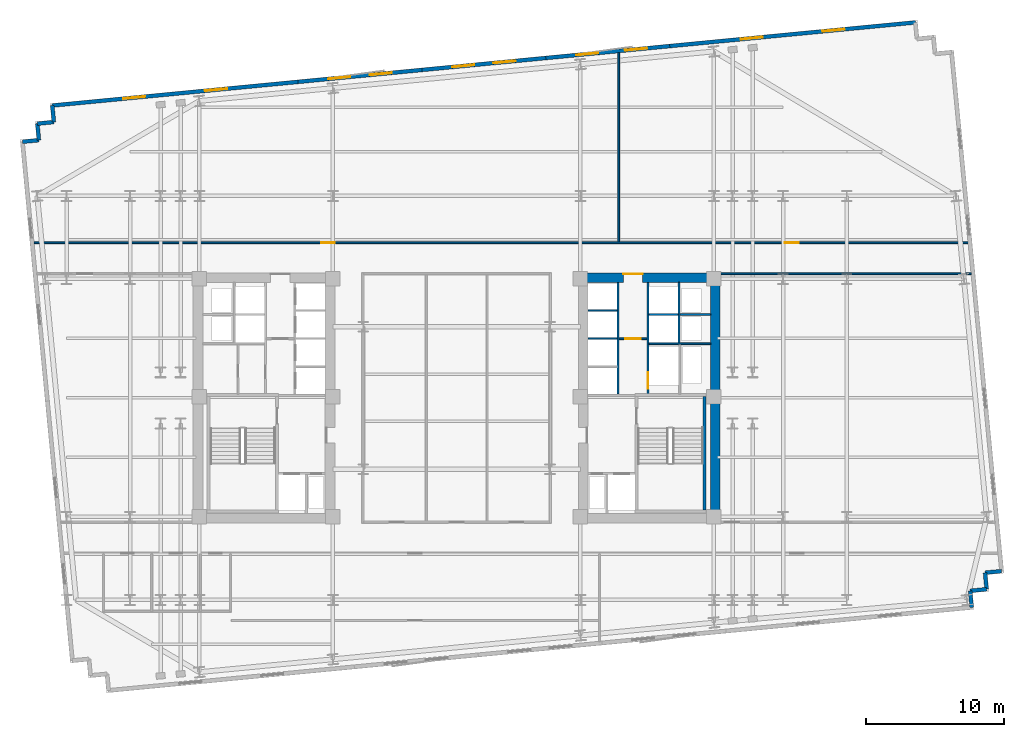
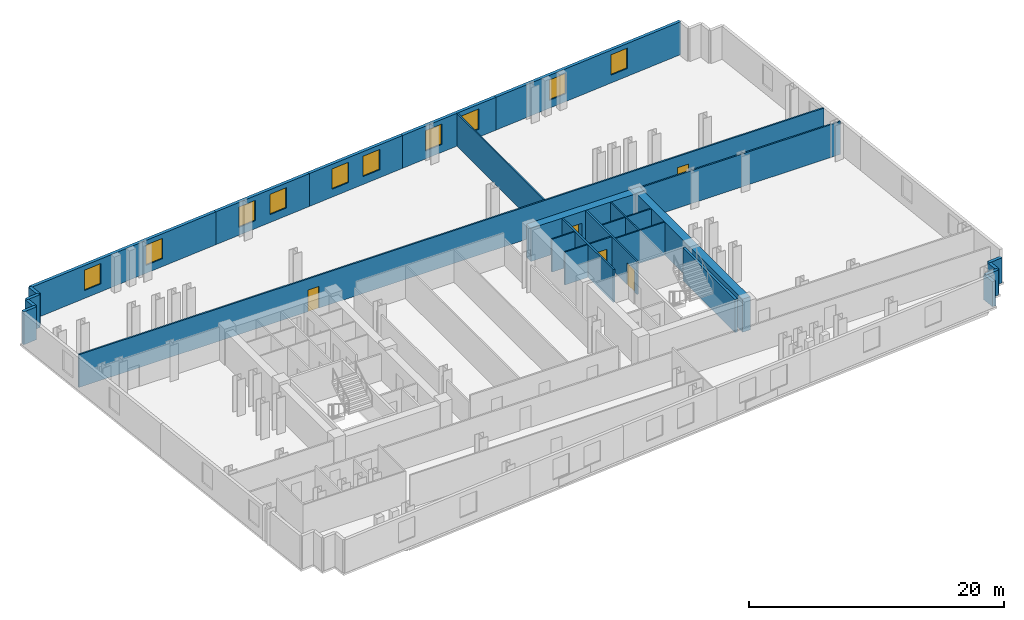
# One storey, part 7 of 10: 28 walls, 10 windows, 5 doors, 15 openings.
"""IFC4 building model written with IfcOpenShell, lengths in metres."""

import ifcopenshell
import ifcopenshell.guid

model = None  # the IFC model being written
_history = None  # IfcOwnerHistory: only IFC2X3 demands one
_inside = {}  # id of a spatial element -> (the spatial element, [elements in it])
_under = {}  # id of a project, library or spatial element -> (it, [spatial elements below it])
_declared = {}  # id of a project -> (the project, [libraries it declares])
_typed = {}  # id of a type object -> (the type object, [elements of that type])
_made_of = {}  # id of a material, layer set ... -> (it, [elements and type objects made of it])


def new_model(schema):
    """Start an empty IFC model of exactly this schema.

    Asked for "IFC4X3", IfcOpenShell would pick the latest addendum, in which some entities
    have other attributes; the version numbers below select the first issue.
    IFC2X3 requires an IfcOwnerHistory on every rooted entity: one is made here for all.
    """
    global model, _history
    if schema == "IFC4X3":
        model = ifcopenshell.file(schema_version=(4, 3, 0, 0))
    else:
        model = ifcopenshell.file(schema=schema)
    _inside.clear()
    _under.clear()
    _declared.clear()
    _typed.clear()
    _made_of.clear()
    _history = None
    if model.schema == "IFC2X3":
        org = make("IfcOrganization", Name="unknown")
        user = make(
            "IfcPersonAndOrganization",
            ThePerson=make("IfcPerson", FamilyName="unknown"),
            TheOrganization=org,
        )
        app = make(
            "IfcApplication",
            ApplicationDeveloper=org,
            Version="unknown",
            ApplicationFullName="unknown",
            ApplicationIdentifier="unknown",
        )
        _history = make(
            "IfcOwnerHistory",
            OwningUser=user,
            OwningApplication=app,
            ChangeAction="ADDED",
            CreationDate=0,
        )
    return model


def make(cls, **values):
    """One entity of the class cls with the attributes given. An attribute that is None is left unset."""
    return model.create_entity(
        cls, **{name: value for name, value in values.items() if value is not None}
    )


def rooted(cls, **values):
    """An entity with a GlobalId (a new one), such as an element, a storey or a relation."""
    return make(cls, GlobalId=ifcopenshell.guid.new(), OwnerHistory=_history, **values)


def si_unit(unit_type, name, prefix=None):
    """IfcSIUnit, for example si_unit("LENGTHUNIT", "METRE", prefix="MILLI")."""
    return make("IfcSIUnit", UnitType=unit_type, Prefix=prefix, Name=name)


def assignment(units):
    """IfcUnitAssignment: the units of a project."""
    return None if units is None else make("IfcUnitAssignment", Units=units)


def point(xyz):
    """IfcCartesianPoint."""
    return None if xyz is None else make("IfcCartesianPoint", Coordinates=xyz)


def direction(xyz):
    """IfcDirection."""
    return None if xyz is None else make("IfcDirection", DirectionRatios=xyz)


def frame(location, z_axis=None, x_axis=None):
    """IfcAxis2Placement3D, a coordinate frame: its origin and axes. An axis left out is left unset."""
    return make(
        "IfcAxis2Placement3D",
        Location=point(location),
        Axis=direction(z_axis),
        RefDirection=direction(x_axis),
    )


def frame_2d(location, x_axis=None):
    """IfcAxis2Placement2D, a coordinate frame in the plane: its origin and x axis."""
    return make(
        "IfcAxis2Placement2D", Location=point(location), RefDirection=direction(x_axis)
    )


def origin():
    """The frame at (0, 0, 0) with its axes left unset."""
    return frame((0.0, 0.0, 0.0))


def place(relative_to, where):
    """IfcLocalPlacement: puts the frame where relative to a parent placement (None: the world)."""
    return make(
        "IfcLocalPlacement", PlacementRelTo=relative_to, RelativePlacement=where
    )


def context(
    kind, dimensions, precision=None, world=None, true_north=None, identifier=None
):
    """IfcGeometricRepresentationContext, for example the 3D "Model" context."""
    return make(
        "IfcGeometricRepresentationContext",
        ContextIdentifier=identifier,
        ContextType=kind,
        CoordinateSpaceDimension=dimensions,
        Precision=precision,
        WorldCoordinateSystem=world,
        TrueNorth=true_north,
    )


def subcontext(parent, identifier, kind, view, scale=None):
    """IfcGeometricRepresentationSubContext, for example "Body" below "Model"."""
    return make(
        "IfcGeometricRepresentationSubContext",
        ContextIdentifier=identifier,
        ContextType=kind,
        ParentContext=parent,
        TargetScale=scale,
        TargetView=view,
    )


def project(units=None, contexts=None):
    """IfcProject with its units and contexts."""
    return rooted(
        "IfcProject",
        Name="project",
        RepresentationContexts=contexts,
        UnitsInContext=assignment(units),
    )


def spatial(cls, under=None, at=None, **own):
    """A site, building, storey or space (cls), placed at a placement, below another one or the project."""
    s = rooted(cls, ObjectPlacement=at, **own)
    if under is not None:
        _under.setdefault(under.id(), (under, []))[1].append(s)
    return s


def profile(cls, at=None, kind="AREA", **sizes):
    """A parametric profile (cls). Its sizes go by their IFC names, for example OverallWidth=200.0."""
    return make(cls, ProfileType=kind, Position=at, **sizes)


def rectangle(**sizes):
    """IfcRectangleProfileDef."""
    return profile("IfcRectangleProfileDef", **sizes)


def extrude(swept, where, along, depth):
    """IfcExtrudedAreaSolid: the profile swept, set in the frame where, extruded along a direction by depth."""
    return make(
        "IfcExtrudedAreaSolid",
        SweptArea=swept,
        Position=where,
        ExtrudedDirection=direction(along),
        Depth=depth,
    )


def shape(context_of_items, identifier, shape_type, items):
    """IfcShapeRepresentation: the items that make up one representation, for example the "Body"."""
    return make(
        "IfcShapeRepresentation",
        ContextOfItems=context_of_items,
        RepresentationIdentifier=identifier,
        RepresentationType=shape_type,
        Items=items,
    )


def material(Name=None, Category=None):
    """IfcMaterial."""
    return make("IfcMaterial", Name=Name, Category=Category)


def layer(
    of_material, thickness, ventilated=None, Name=None, Category=None, Priority=None
):
    """IfcMaterialLayer: one layer of a wall or slab, of a material (None: an air gap)."""
    return make(
        "IfcMaterialLayer",
        Material=of_material,
        LayerThickness=thickness,
        IsVentilated=ventilated,
        Name=Name,
        Category=Category,
        Priority=Priority,
    )


def layer_set(layers, Name=None):
    """IfcMaterialLayerSet."""
    return make("IfcMaterialLayerSet", MaterialLayers=layers, LayerSetName=Name)


def made_of(thing, what):
    """Note that an element or type object is made of a material, layer set ...; save() writes the relation."""
    if what is not None:
        _made_of.setdefault(what.id(), (what, []))[1].append(thing)
    return thing


def type_object(cls, material=None, **own):
    """A type object (cls), such as IfcWallType, which elements share."""
    return made_of(rooted(cls, **own), material)


def element(
    cls,
    number,
    at=None,
    inside=None,
    cuts=None,
    type_object=None,
    material=None,
    context=None,
    identifier="Body",
    shape_type=None,
    held_by="IfcProductDefinitionShape",
    body=None,
    shapes=None,
    **own,
):
    """One element of the class cls, such as IfcWall. Its Tag is "e" and its number.

    at: its placement. inside: the storey or other place that contains it. cuts: it is an
    opening in that element (IfcRelVoidsElement). A single representation is given by context,
    identifier, shape_type and body (its items); several are given by shapes. held_by: the class
    of the entity that holds the representations. save() writes the other relations.
    """
    e = rooted(cls, Tag="e%d" % number, ObjectPlacement=at, **own)
    if body is not None:
        shapes = [shape(context, identifier, shape_type, body)]
    if shapes is not None:
        e.Representation = make(held_by, Representations=shapes)
    if inside is not None:
        _inside.setdefault(inside.id(), (inside, []))[1].append(e)
    if cuts is not None:
        rooted(
            "IfcRelVoidsElement", RelatingBuildingElement=cuts, RelatedOpeningElement=e
        )
    if type_object is not None:
        _typed.setdefault(type_object.id(), (type_object, []))[1].append(e)
    return made_of(e, material)


def fill(opening, filler):
    """IfcRelFillsElement: the door or window that sits in an opening."""
    return rooted(
        "IfcRelFillsElement",
        RelatingOpeningElement=opening,
        RelatedBuildingElement=filler,
    )


def aggregate(whole, parts):
    """IfcRelAggregates: a whole, such as a stair, and the parts it consists of."""
    return rooted("IfcRelAggregates", RelatingObject=whole, RelatedObjects=parts)


def save(model, path):
    """Write the relations noted so far, then the file.

    IfcRelAggregates (storeys below a building ...), IfcRelContainedInSpatialStructure (elements
    in a storey), IfcRelDefinesByType, IfcRelAssociatesMaterial and IfcRelDeclares: one each for
    every whole, place, type object, material and project.
    """
    for whole, parts in _under.values():
        aggregate(whole, parts)
    for where, things in _inside.values():
        rooted(
            "IfcRelContainedInSpatialStructure",
            RelatedElements=things,
            RelatingStructure=where,
        )
    for kind, things in _typed.values():
        rooted("IfcRelDefinesByType", RelatedObjects=things, RelatingType=kind)
    for what, things in _made_of.values():
        rooted("IfcRelAssociatesMaterial", RelatedObjects=things, RelatingMaterial=what)
    for by, libraries in _declared.values():
        rooted("IfcRelDeclares", RelatingContext=by, RelatedDefinitions=libraries)
    model.write(path)


model = new_model("IFC4")

# Units and contexts
model_context = context("Model", 3, precision=1e-05, world=origin(), true_north=direction((0.0, 1.0)))
body_context = subcontext(model_context, "Body", "Model", "MODEL_VIEW")
ifc_project = project(units=[si_unit("LENGTHUNIT", "METRE"), si_unit("AREAUNIT", "SQUARE_METRE"), si_unit("VOLUMEUNIT", "CUBIC_METRE"), si_unit("PLANEANGLEUNIT", "RADIAN"), si_unit("MASSUNIT", "GRAM", prefix="KILO")], contexts=[model_context])

# Site, building, storey
site_placement = place(None, origin())
site = spatial("IfcSite", under=ifc_project, at=site_placement, CompositionType="ELEMENT")
building_placement = place(site_placement, origin())
building = spatial("IfcBuilding", under=site, at=building_placement, Name="Velakula Bourse", CompositionType="ELEMENT")
storey_placement = place(building_placement, frame((0.0, 0.0, 108.699951171875)))
storey = spatial("IfcBuildingStorey", under=building, at=storey_placement, Name="L29", CompositionType="ELEMENT", Elevation=108.699951171875)

# Wall
ifc_material_1 = material(Name="Concrete M50 (fck 50 MPa)", Category="concrete")
ifc_layer_1 = layer(ifc_material_1, 0.2099609375, Name="Concrete M50 (fck 50 MPa)", Category="concrete")
ifc_layer_set_1 = layer_set([ifc_layer_1], Name="Concrete M50 (fck 50 MPa)")
wall_type_1 = type_object("IfcWallType", Name="WL-CORE-210", PredefinedType="SHEAR", material=ifc_layer_set_1)
wall_1_placement = place(storey_placement, frame((17.925048828125, -8.10009765625, 0.0), z_axis=(0.0, 0.0, 1.0), x_axis=(0.0, 1.0, 0.0)))
element("IfcWall", 1, at=wall_1_placement, inside=storey, type_object=wall_type_1, Name="L29 Core E Stairwell Shear Wall OUT", PredefinedType="SHEAR", context=body_context, shape_type="SweptSolid", body=[
    extrude(rectangle(XDim=8.2001953125, YDim=0.2099609375, at=frame_2d((4.10009765625, 0.0))), origin(), (0.0, 0.0, 1.0), 3.170166015625),
])

# Wall, opening, door
ifc_material_2 = material(Name="Concrete M70 (fck 70 MPa)", Category="concrete")
ifc_layer_2 = layer(ifc_material_2, 0.699951171875, Name="Concrete M70 (fck 70 MPa)", Category="concrete")
ifc_layer_set_2 = layer_set([ifc_layer_2], Name="Concrete M70 (fck 70 MPa)")
wall_type_2 = type_object("IfcWallType", Name="WL-CORE-700", PredefinedType="SHEAR", material=ifc_layer_set_2)
wall_2_placement = place(storey_placement, frame((8.800048828125, 8.699951171875, 0.0), z_axis=(0.0, 0.0, 1.0), x_axis=(1.0, 0.0, 0.0)))
wall_2 = element("IfcWall", 2, at=wall_2_placement, inside=storey, type_object=wall_type_2, Name="L29 Core E Shear Wall N", PredefinedType="SHEAR", context=body_context, shape_type="SweptSolid", body=[
    extrude(rectangle(XDim=10.25, YDim=0.699951171875, at=frame_2d((5.125, 0.0))), origin(), (0.0, 0.0, 1.0), 3.170166015625),
])
opening_1_placement = place(wall_2_placement, frame((3.25, 0.0, 0.0)))
opening_1 = element("IfcOpeningElement", 3, at=opening_1_placement, cuts=wall_2, Name="Opening D-LLE", PredefinedType="OPENING", context=body_context, shape_type="SweptSolid", body=[
    extrude(rectangle(XDim=1.39990234375, YDim=2.050048828125, at=frame_2d((0.699951171875, 1.02490234375))), frame((0.0, 0.35986328125, 0.0), z_axis=(0.0, -1.0, 0.0), x_axis=(1.0, 0.0, 0.0)), (0.0, 0.0, 1.0), 0.719970703125),
])
ifc_material_3 = material(Name="Fire-rated hardwood flush architectural door", Category="wood")
door_type_1 = type_object("IfcDoorType", Name="DR-DBL-FD60-1400", OperationType="DOUBLE_DOOR_SINGLE_SWING", PredefinedType="DOOR", material=ifc_material_3)
door_1_placement = place(opening_1_placement, origin())
door_1 = element("IfcDoor", 4, at=door_1_placement, inside=storey, type_object=door_type_1, Name="L29 Core E Lift Lobby Corridor Double Door", OperationType="DOUBLE_DOOR_SINGLE_SWING", OverallHeight=2.050048828125, OverallWidth=1.39990234375, PredefinedType="DOOR", context=body_context, shape_type="SweptSolid", body=[
    extrude(rectangle(XDim=1.39990234375, YDim=2.050048828125, at=frame_2d((0.699951171875, 1.02490234375))), frame((0.0, 0.294921875, 0.0), z_axis=(0.0, -1.0, 0.0), x_axis=(1.0, 0.0, 0.0)), (0.0, 0.0, 1.0), 0.050048828125),
])
fill(opening_1, door_1)

# Wall
wall_3_placement = place(storey_placement, frame((18.699951171875, -8.35009765625, 0.0), z_axis=(0.0, 0.0, 1.0), x_axis=(0.0, 1.0, 0.0)))
element("IfcWall", 5, at=wall_3_placement, inside=storey, type_object=wall_type_2, Name="L29 Core E Shear Wall E", PredefinedType="SHEAR", context=body_context, shape_type="SweptSolid", body=[
    extrude(rectangle(XDim=16.7001953125, YDim=0.699951171875, at=frame_2d((8.35009765625, 0.0))), origin(), (0.0, 0.0, 1.0), 3.170166015625),
])

# Wall, openings, windows
ifc_material_4 = material(Name="Red kilned clay facing brick masonry", Category="masonry")
ifc_layer_3 = layer(ifc_material_4, 0.280029296875, Name="Red kilned clay facing brick masonry", Category="masonry")
ifc_layer_set_3 = layer_set([ifc_layer_3], Name="Red kilned clay facing brick masonry")
wall_type_3 = type_object("IfcWallType", Name="WL-EXT-BRK-280", PredefinedType="STANDARD", material=ifc_layer_set_3)
wall_4_placement = place(storey_placement, frame((-29.2314453125, 21.138427734375, 0.0), z_axis=(0.0, 0.0, 1.0), x_axis=(0.995395780835, 0.095850088663, 0.0)))
wall_4 = element("IfcWall", 6, at=wall_4_placement, inside=storey, type_object=wall_type_3, Name="L29 N Brick Spandrel Wall B1", PredefinedType="STANDARD", context=body_context, shape_type="SweptSolid", body=[
    extrude(rectangle(XDim=17.83984375, YDim=0.280029296875, at=frame_2d((8.919921875, 0.0))), origin(), (0.0, 0.0, 1.0), 3.150146484375),
])
opening_2_placement = place(wall_4_placement, frame((5.146728515625, 0.0, 0.760009765625)))
opening_2 = element("IfcOpeningElement", 7, at=opening_2_placement, cuts=wall_4, Name="Opening W-02", PredefinedType="OPENING", context=body_context, shape_type="SweptSolid", body=[
    extrude(rectangle(XDim=1.60009765625, YDim=1.949951171875, at=frame_2d((0.800048828125, 0.97509765625))), frame((0.0, 0.14990234375, 0.0), z_axis=(0.0, -1.0, 0.0), x_axis=(1.0, 0.0, 0.0)), (0.0, 0.0, 1.0), 0.300048828125),
])
opening_3_placement = place(wall_4_placement, frame((11.09326171875, 0.0, 0.760009765625)))
opening_3 = element("IfcOpeningElement", 8, at=opening_3_placement, cuts=wall_4, Name="Opening W-02", PredefinedType="OPENING", context=body_context, shape_type="SweptSolid", body=[
    extrude(rectangle(XDim=1.60009765625, YDim=1.949951171875, at=frame_2d((0.800048828125, 0.97509765625))), frame((0.0, 0.14990234375, 0.0), z_axis=(0.0, -1.0, 0.0), x_axis=(1.0, 0.0, 0.0)), (0.0, 0.0, 1.0), 0.300048828125),
])
ifc_material_5 = material(Name="Double-glazed solar-control Low-E glass", Category="glass")
window_type = type_object("IfcWindowType", Name="WIN-TWR-1600x2100", PartitioningType="SINGLE_PANEL", PredefinedType="WINDOW", material=ifc_material_5)
window_1_placement = place(opening_2_placement, origin())
window_1 = element("IfcWindow", 9, at=window_1_placement, inside=storey, type_object=window_type, Name="L29 Deep-Set Recessed Window 1", OverallHeight=1.949951171875, OverallWidth=1.60009765625, PartitioningType="SINGLE_PANEL", PredefinedType="WINDOW", context=body_context, shape_type="SweptSolid", body=[
    extrude(rectangle(XDim=1.60009765625, YDim=1.949951171875, at=frame_2d((0.800048828125, 0.97509765625))), frame((0.0, 0.030029296875, 0.0), z_axis=(0.0, -1.0, 0.0), x_axis=(1.0, 0.0, 0.0)), (0.0, 0.0, 1.0), 0.06005859375),
])
fill(opening_2, window_1)
window_2_placement = place(opening_3_placement, origin())
window_2 = element("IfcWindow", 10, at=window_2_placement, inside=storey, type_object=window_type, Name="L29 Deep-Set Recessed Window 2", OverallHeight=1.949951171875, OverallWidth=1.60009765625, PartitioningType="SINGLE_PANEL", PredefinedType="WINDOW", context=body_context, shape_type="SweptSolid", body=[
    extrude(rectangle(XDim=1.60009765625, YDim=1.949951171875, at=frame_2d((0.800048828125, 0.97509765625))), frame((0.0, 0.030029296875, 0.0), z_axis=(0.0, -1.0, 0.0), x_axis=(1.0, 0.0, 0.0)), (0.0, 0.0, 1.0), 0.06005859375),
])
fill(opening_3, window_2)

wall_5_placement = place(storey_placement, frame((-11.4736328125, 22.848388671875, 0.0), z_axis=(0.0, 0.0, 1.0), x_axis=(0.995396794462, 0.09583956164, 0.0)))
wall_5 = element("IfcWall", 11, at=wall_5_placement, inside=storey, type_object=wall_type_3, Name="L29 N Brick Spandrel Wall B2", PredefinedType="STANDARD", context=body_context, shape_type="SweptSolid", body=[
    extrude(rectangle(XDim=9.0, YDim=0.280029296875, at=frame_2d((4.5, 0.0))), origin(), (0.0, 0.0, 1.0), 3.150146484375),
])
opening_4_placement = place(wall_5_placement, frame((2.199951171875, 0.0, 0.760009765625)))
opening_4 = element("IfcOpeningElement", 12, at=opening_4_placement, cuts=wall_5, Name="Opening W-02", PredefinedType="OPENING", context=body_context, shape_type="SweptSolid", body=[
    extrude(rectangle(XDim=1.60009765625, YDim=1.949951171875, at=frame_2d((0.800048828125, 0.97509765625))), frame((0.0, 0.14990234375, 0.0), z_axis=(0.0, -1.0, 0.0), x_axis=(1.0, 0.0, 0.0)), (0.0, 0.0, 1.0), 0.300048828125),
])
opening_5_placement = place(wall_5_placement, frame((5.199951171875, 0.0, 0.760009765625)))
opening_5 = element("IfcOpeningElement", 13, at=opening_5_placement, cuts=wall_5, Name="Opening W-02", PredefinedType="OPENING", context=body_context, shape_type="SweptSolid", body=[
    extrude(rectangle(XDim=1.60009765625, YDim=1.949951171875, at=frame_2d((0.800048828125, 0.97509765625))), frame((0.0, 0.14990234375, 0.0), z_axis=(0.0, -1.0, 0.0), x_axis=(1.0, 0.0, 0.0)), (0.0, 0.0, 1.0), 0.300048828125),
])
window_3_placement = place(opening_4_placement, origin())
window_3 = element("IfcWindow", 14, at=window_3_placement, inside=storey, type_object=window_type, Name="L29 Deep-Set Recessed Window 1", OverallHeight=1.949951171875, OverallWidth=1.60009765625, PartitioningType="SINGLE_PANEL", PredefinedType="WINDOW", context=body_context, shape_type="SweptSolid", body=[
    extrude(rectangle(XDim=1.60009765625, YDim=1.949951171875, at=frame_2d((0.800048828125, 0.97509765625))), frame((0.0, 0.030029296875, 0.0), z_axis=(0.0, -1.0, 0.0), x_axis=(1.0, 0.0, 0.0)), (0.0, 0.0, 1.0), 0.06005859375),
])
fill(opening_4, window_3)
window_4_placement = place(opening_5_placement, origin())
window_4 = element("IfcWindow", 15, at=window_4_placement, inside=storey, type_object=window_type, Name="L29 Deep-Set Recessed Window 2", OverallHeight=1.949951171875, OverallWidth=1.60009765625, PartitioningType="SINGLE_PANEL", PredefinedType="WINDOW", context=body_context, shape_type="SweptSolid", body=[
    extrude(rectangle(XDim=1.60009765625, YDim=1.949951171875, at=frame_2d((0.800048828125, 0.97509765625))), frame((0.0, 0.030029296875, 0.0), z_axis=(0.0, -1.0, 0.0), x_axis=(1.0, 0.0, 0.0)), (0.0, 0.0, 1.0), 0.06005859375),
])
fill(opening_5, window_4)

wall_6_placement = place(storey_placement, frame((-2.51513671875, 23.7109375, 0.0), z_axis=(0.0, 0.0, 1.0), x_axis=(0.995397043619, 0.095836973841, 0.0)))
wall_6 = element("IfcWall", 16, at=wall_6_placement, inside=storey, type_object=wall_type_3, Name="L29 N Brick Spandrel Wall B3", PredefinedType="STANDARD", context=body_context, shape_type="SweptSolid", body=[
    extrude(rectangle(XDim=9.000244140625, YDim=0.280029296875, at=frame_2d((4.5, 0.0))), origin(), (0.0, 0.0, 1.0), 3.150146484375),
])
opening_6_placement = place(wall_6_placement, frame((2.199951171875, 0.0, 0.760009765625)))
opening_6 = element("IfcOpeningElement", 17, at=opening_6_placement, cuts=wall_6, Name="Opening W-02", PredefinedType="OPENING", context=body_context, shape_type="SweptSolid", body=[
    extrude(rectangle(XDim=1.60009765625, YDim=1.949951171875, at=frame_2d((0.800048828125, 0.97509765625))), frame((0.0, 0.14990234375, 0.0), z_axis=(0.0, -1.0, 0.0), x_axis=(1.0, 0.0, 0.0)), (0.0, 0.0, 1.0), 0.300048828125),
])
opening_7_placement = place(wall_6_placement, frame((5.199951171875, 0.0, 0.760009765625)))
opening_7 = element("IfcOpeningElement", 18, at=opening_7_placement, cuts=wall_6, Name="Opening W-02", PredefinedType="OPENING", context=body_context, shape_type="SweptSolid", body=[
    extrude(rectangle(XDim=1.60009765625, YDim=1.949951171875, at=frame_2d((0.800048828125, 0.97509765625))), frame((0.0, 0.14990234375, 0.0), z_axis=(0.0, -1.0, 0.0), x_axis=(1.0, 0.0, 0.0)), (0.0, 0.0, 1.0), 0.300048828125),
])
window_5_placement = place(opening_6_placement, origin())
window_5 = element("IfcWindow", 19, at=window_5_placement, inside=storey, type_object=window_type, Name="L29 Deep-Set Recessed Window 1", OverallHeight=1.949951171875, OverallWidth=1.60009765625, PartitioningType="SINGLE_PANEL", PredefinedType="WINDOW", context=body_context, shape_type="SweptSolid", body=[
    extrude(rectangle(XDim=1.60009765625, YDim=1.949951171875, at=frame_2d((0.800048828125, 0.97509765625))), frame((0.0, 0.030029296875, 0.0), z_axis=(0.0, -1.0, 0.0), x_axis=(1.0, 0.0, 0.0)), (0.0, 0.0, 1.0), 0.06005859375),
])
fill(opening_6, window_5)
window_6_placement = place(opening_7_placement, origin())
window_6 = element("IfcWindow", 20, at=window_6_placement, inside=storey, type_object=window_type, Name="L29 Deep-Set Recessed Window 2", OverallHeight=1.949951171875, OverallWidth=1.60009765625, PartitioningType="SINGLE_PANEL", PredefinedType="WINDOW", context=body_context, shape_type="SweptSolid", body=[
    extrude(rectangle(XDim=1.60009765625, YDim=1.949951171875, at=frame_2d((0.800048828125, 0.97509765625))), frame((0.0, 0.030029296875, 0.0), z_axis=(0.0, -1.0, 0.0), x_axis=(1.0, 0.0, 0.0)), (0.0, 0.0, 1.0), 0.06005859375),
])
fill(opening_7, window_6)

wall_7_placement = place(storey_placement, frame((6.443603515625, 24.573486328125, 0.0), z_axis=(0.0, 0.0, 1.0), x_axis=(0.995396794462, 0.09583956164, 0.0)))
wall_7 = element("IfcWall", 21, at=wall_7_placement, inside=storey, type_object=wall_type_3, Name="L29 N Brick Spandrel Wall B4", PredefinedType="STANDARD", context=body_context, shape_type="SweptSolid", body=[
    extrude(rectangle(XDim=9.0, YDim=0.280029296875, at=frame_2d((4.5, 0.0))), origin(), (0.0, 0.0, 1.0), 3.150146484375),
])
opening_8_placement = place(wall_7_placement, frame((2.199951171875, 0.0, 0.760009765625)))
opening_8 = element("IfcOpeningElement", 22, at=opening_8_placement, cuts=wall_7, Name="Opening W-02", PredefinedType="OPENING", context=body_context, shape_type="SweptSolid", body=[
    extrude(rectangle(XDim=1.60009765625, YDim=1.949951171875, at=frame_2d((0.800048828125, 0.97509765625))), frame((0.0, 0.14990234375, 0.0), z_axis=(0.0, -1.0, 0.0), x_axis=(1.0, 0.0, 0.0)), (0.0, 0.0, 1.0), 0.300048828125),
])
opening_9_placement = place(wall_7_placement, frame((5.75, 0.0, 0.760009765625)))
opening_9 = element("IfcOpeningElement", 23, at=opening_9_placement, cuts=wall_7, Name="Opening W-02", PredefinedType="OPENING", context=body_context, shape_type="SweptSolid", body=[
    extrude(rectangle(XDim=1.60009765625, YDim=1.949951171875, at=frame_2d((0.800048828125, 0.97509765625))), frame((0.0, 0.14990234375, 0.0), z_axis=(0.0, -1.0, 0.0), x_axis=(1.0, 0.0, 0.0)), (0.0, 0.0, 1.0), 0.300048828125),
])
window_7_placement = place(opening_8_placement, origin())
window_7 = element("IfcWindow", 24, at=window_7_placement, inside=storey, type_object=window_type, Name="L29 Deep-Set Recessed Window 1", OverallHeight=1.949951171875, OverallWidth=1.60009765625, PartitioningType="SINGLE_PANEL", PredefinedType="WINDOW", context=body_context, shape_type="SweptSolid", body=[
    extrude(rectangle(XDim=1.60009765625, YDim=1.949951171875, at=frame_2d((0.800048828125, 0.97509765625))), frame((0.0, 0.030029296875, 0.0), z_axis=(0.0, -1.0, 0.0), x_axis=(1.0, 0.0, 0.0)), (0.0, 0.0, 1.0), 0.06005859375),
])
fill(opening_8, window_7)
window_8_placement = place(opening_9_placement, origin())
window_8 = element("IfcWindow", 25, at=window_8_placement, inside=storey, type_object=window_type, Name="L29 Deep-Set Recessed Window 2", OverallHeight=1.949951171875, OverallWidth=1.60009765625, PartitioningType="SINGLE_PANEL", PredefinedType="WINDOW", context=body_context, shape_type="SweptSolid", body=[
    extrude(rectangle(XDim=1.60009765625, YDim=1.949951171875, at=frame_2d((0.800048828125, 0.97509765625))), frame((0.0, 0.030029296875, 0.0), z_axis=(0.0, -1.0, 0.0), x_axis=(1.0, 0.0, 0.0)), (0.0, 0.0, 1.0), 0.06005859375),
])
fill(opening_9, window_8)

wall_8_placement = place(storey_placement, frame((15.402099609375, 25.43603515625, 0.0), z_axis=(0.0, 0.0, 1.0), x_axis=(0.995395780835, 0.095850088663, 0.0)))
wall_8 = element("IfcWall", 26, at=wall_8_placement, inside=storey, type_object=wall_type_3, Name="L29 N Brick Spandrel Wall B5", PredefinedType="STANDARD", context=body_context, shape_type="SweptSolid", body=[
    extrude(rectangle(XDim=17.83984375, YDim=0.280029296875, at=frame_2d((8.919921875, 0.0))), origin(), (0.0, 0.0, 1.0), 3.150146484375),
])
opening_10_placement = place(wall_8_placement, frame((5.146728515625, 0.0, 0.760009765625)))
opening_10 = element("IfcOpeningElement", 27, at=opening_10_placement, cuts=wall_8, Name="Opening W-02", PredefinedType="OPENING", context=body_context, shape_type="SweptSolid", body=[
    extrude(rectangle(XDim=1.60009765625, YDim=1.949951171875, at=frame_2d((0.800048828125, 0.97509765625))), frame((0.0, 0.14990234375, 0.0), z_axis=(0.0, -1.0, 0.0), x_axis=(1.0, 0.0, 0.0)), (0.0, 0.0, 1.0), 0.300048828125),
])
opening_11_placement = place(wall_8_placement, frame((11.09326171875, 0.0, 0.760009765625)))
opening_11 = element("IfcOpeningElement", 28, at=opening_11_placement, cuts=wall_8, Name="Opening W-02", PredefinedType="OPENING", context=body_context, shape_type="SweptSolid", body=[
    extrude(rectangle(XDim=1.60009765625, YDim=1.949951171875, at=frame_2d((0.800048828125, 0.97509765625))), frame((0.0, 0.14990234375, 0.0), z_axis=(0.0, -1.0, 0.0), x_axis=(1.0, 0.0, 0.0)), (0.0, 0.0, 1.0), 0.300048828125),
])
window_9_placement = place(opening_10_placement, origin())
window_9 = element("IfcWindow", 29, at=window_9_placement, inside=storey, type_object=window_type, Name="L29 Deep-Set Recessed Window 1", OverallHeight=1.949951171875, OverallWidth=1.60009765625, PartitioningType="SINGLE_PANEL", PredefinedType="WINDOW", context=body_context, shape_type="SweptSolid", body=[
    extrude(rectangle(XDim=1.60009765625, YDim=1.949951171875, at=frame_2d((0.800048828125, 0.97509765625))), frame((0.0, 0.030029296875, 0.0), z_axis=(0.0, -1.0, 0.0), x_axis=(1.0, 0.0, 0.0)), (0.0, 0.0, 1.0), 0.06005859375),
])
fill(opening_10, window_9)
window_10_placement = place(opening_11_placement, origin())
window_10 = element("IfcWindow", 30, at=window_10_placement, inside=storey, type_object=window_type, Name="L29 Deep-Set Recessed Window 2", OverallHeight=1.949951171875, OverallWidth=1.60009765625, PartitioningType="SINGLE_PANEL", PredefinedType="WINDOW", context=body_context, shape_type="SweptSolid", body=[
    extrude(rectangle(XDim=1.60009765625, YDim=1.949951171875, at=frame_2d((0.800048828125, 0.97509765625))), frame((0.0, 0.030029296875, 0.0), z_axis=(0.0, -1.0, 0.0), x_axis=(1.0, 0.0, 0.0)), (0.0, 0.0, 1.0), 0.06005859375),
])
fill(opening_11, window_10)

# Walls
for number, where, z_axis, x_axis, name in (
    (31, (37.2314453125, -15.138427734375, 0.0), (0.0, 0.0, 1.0), (-0.095817067274, 0.995398960025, 0.0), "L29 Serrated Corner Brick Wall SE-1"),
    (32, (37.116455078125, -13.94384765625, 0.0), (0.0, 0.0, 1.0), (0.995398960025, 0.095817067274, 0.0), "L29 Serrated Corner Brick Wall SE-2"),
):
    element("IfcWall", number, at=place(storey_placement, frame(where, z_axis=z_axis, x_axis=x_axis)), inside=storey, type_object=wall_type_3, Name=name, PredefinedType="STANDARD", context=body_context, shape_type="SweptSolid", body=[
        extrude(rectangle(XDim=1.2001953125, YDim=0.280029296875, at=frame_2d((0.60009765625, 0.0))), origin(), (0.0, 0.0, 1.0), 2.39501953125),
    ])
for number, where, z_axis, x_axis, name in (
    (33, (38.31103515625, -13.828857421875, 0.0), (0.0, 0.0, 1.0), (-0.095836473879, 0.995397091755, 0.0), "L29 Serrated Corner Brick Wall SE-3"),
    (34, (38.196044921875, -12.634521484375, 0.0), (0.0, 0.0, 1.0), (0.995397091755, 0.095836473879, 0.0), "L29 Serrated Corner Brick Wall SE-4"),
):
    element("IfcWall", number, at=place(storey_placement, frame(where, z_axis=z_axis, x_axis=x_axis)), inside=storey, type_object=wall_type_3, Name=name, PredefinedType="STANDARD", context=body_context, shape_type="SweptSolid", body=[
        extrude(rectangle(XDim=1.199951171875, YDim=0.280029296875, at=frame_2d((0.60009765625, 0.0))), origin(), (0.0, 0.0, 1.0), 2.39501953125),
    ])
for number, where, z_axis, x_axis, name in (
    (35, (-29.2314453125, 21.138427734375, 0.0), (0.0, 0.0, 1.0), (0.095817067274, -0.995398960025, 0.0), "L29 Serrated Corner Brick Wall NW-1"),
    (36, (-29.116455078125, 19.94384765625, 0.0), (0.0, 0.0, 1.0), (-0.995398960025, -0.095817067274, 0.0), "L29 Serrated Corner Brick Wall NW-2"),
):
    element("IfcWall", number, at=place(storey_placement, frame(where, z_axis=z_axis, x_axis=x_axis)), inside=storey, type_object=wall_type_3, Name=name, PredefinedType="STANDARD", context=body_context, shape_type="SweptSolid", body=[
        extrude(rectangle(XDim=1.2001953125, YDim=0.280029296875, at=frame_2d((0.60009765625, 0.0))), origin(), (0.0, 0.0, 1.0), 3.150146484375),
    ])
for number, where, z_axis, x_axis, name in (
    (37, (-30.31103515625, 19.828857421875, 0.0), (0.0, 0.0, 1.0), (0.095836473879, -0.995397091755, 0.0), "L29 Serrated Corner Brick Wall NW-3"),
    (38, (-30.196044921875, 18.634521484375, 0.0), (0.0, 0.0, 1.0), (-0.995397091755, -0.095836473879, 0.0), "L29 Serrated Corner Brick Wall NW-4"),
):
    element("IfcWall", number, at=place(storey_placement, frame(where, z_axis=z_axis, x_axis=x_axis)), inside=storey, type_object=wall_type_3, Name=name, PredefinedType="STANDARD", context=body_context, shape_type="SweptSolid", body=[
        extrude(rectangle(XDim=1.199951171875, YDim=0.280029296875, at=frame_2d((0.60009765625, 0.0))), origin(), (0.0, 0.0, 1.0), 3.150146484375),
    ])

# Wall, opening, door
ifc_material_6 = material(Name="Fire-rated double-layer gypsum drywall partition", Category="gypsum")
ifc_layer_4 = layer(ifc_material_6, 0.1201171875, Name="Fire-rated double-layer gypsum drywall partition", Category="gypsum")
ifc_layer_set_4 = layer_set([ifc_layer_4], Name="Fire-rated double-layer gypsum drywall partition")
wall_type_4 = type_object("IfcWallType", Name="WL-PART-120", PredefinedType="STANDARD", material=ifc_layer_set_4)
wall_9_placement = place(storey_placement, frame((11.75, 4.280029296875, 0.0), z_axis=(0.0, 0.0, 1.0), x_axis=(1.0, 0.0, 0.0)))
wall_9 = element("IfcWall", 39, at=wall_9_placement, inside=storey, type_object=wall_type_4, Name="L29 Interior Partition WL-CRE-L29-LL-K2", PredefinedType="STANDARD", context=body_context, shape_type="SweptSolid", body=[
    extrude(rectangle(XDim=2.0, YDim=0.1201171875, at=frame_2d((1.0, 0.0))), origin(), (0.0, 0.0, 1.0), 3.150146484375),
])
opening_12_placement = place(wall_9_placement, frame((0.449951171875, 0.0, 0.0)))
opening_12 = element("IfcOpeningElement", 40, at=opening_12_placement, cuts=wall_9, Name="Opening D-LK2", PredefinedType="OPENING", context=body_context, shape_type="SweptSolid", body=[
    extrude(rectangle(XDim=1.10009765625, YDim=2.10009765625, at=frame_2d((0.550048828125, 1.050048828125))), frame((0.0, 0.070068359375, 0.0), z_axis=(0.0, -1.0, 0.0), x_axis=(1.0, 0.0, 0.0)), (0.0, 0.0, 1.0), 0.14013671875),
])
door_type_2 = type_object("IfcDoorType", Name="DR-FD60-1100x2100", OperationType="NOTDEFINED", PredefinedType="DOOR", material=ifc_material_3)
door_2_placement = place(opening_12_placement, origin())
door_2 = element("IfcDoor", 41, at=door_2_placement, inside=storey, type_object=door_type_2, Name="L29 Core E Lift Lobby Zone Door", OperationType="SINGLE_SWING_LEFT", OverallHeight=2.10009765625, OverallWidth=1.10009765625, PredefinedType="DOOR", context=body_context, shape_type="SweptSolid", body=[
    extrude(rectangle(XDim=1.10009765625, YDim=2.10009765625, at=frame_2d((0.550048828125, 1.050048828125))), frame((0.0, 0.02490234375, 0.0), z_axis=(0.0, -1.0, 0.0), x_axis=(1.0, 0.0, 0.0)), (0.0, 0.0, 1.0), 0.050048828125),
])
fill(opening_12, door_2)

# Walls
for number, where, z_axis, x_axis, name in (
    (42, (9.5, 4.284912109375, 0.0), (0.0, 0.0, 1.0), (1.0, 0.0, 0.0), "L29 Interior Partition WL-CRE-L29-BDIV-1"),
    (43, (9.5, 6.31494140625, 0.0), (0.0, 0.0, 1.0), (1.0, 0.0, 0.0), "L29 Interior Partition WL-CRE-L29-BDIV-2"),
):
    element("IfcWall", number, at=place(storey_placement, frame(where, z_axis=z_axis, x_axis=x_axis)), inside=storey, type_object=wall_type_4, Name=name, PredefinedType="STANDARD", context=body_context, shape_type="SweptSolid", body=[
        extrude(rectangle(XDim=2.10009765625, YDim=0.110107421875, at=frame_2d((1.050048828125, 0.0))), origin(), (0.0, 0.0, 1.0), 3.150146484375),
    ])
wall_10_placement = place(storey_placement, frame((13.89990234375, 3.919921875, 0.0), z_axis=(0.0, 0.0, 1.0), x_axis=(1.0, 0.0, 0.0)))
element("IfcWall", 44, at=wall_10_placement, inside=storey, type_object=wall_type_4, Name="L29 Interior Partition WL-CRE-L29-HI-S", PredefinedType="STANDARD", context=body_context, shape_type="SweptSolid", body=[
    extrude(rectangle(XDim=4.4501953125, YDim=0.1201171875, at=frame_2d((2.22509765625, 0.0))), origin(), (0.0, 0.0, 1.0), 3.150146484375),
])
wall_11_placement = place(storey_placement, frame((16.14990234375, 6.030029296875, 0.0), z_axis=(0.0, 0.0, 1.0), x_axis=(1.0, 0.0, 0.0)))
element("IfcWall", 45, at=wall_11_placement, inside=storey, type_object=wall_type_4, Name="L29 Interior Partition WL-CRE-L29-RIS-MID", PredefinedType="STANDARD", context=body_context, shape_type="SweptSolid", body=[
    extrude(rectangle(XDim=2.2001953125, YDim=0.1201171875, at=frame_2d((1.10009765625, 0.0))), origin(), (0.0, 0.0, 1.0), 3.150146484375),
])
wall_12_placement = place(storey_placement, frame((16.074951171875, 3.97998046875, 0.0), z_axis=(0.0, 0.0, 1.0), x_axis=(0.0, 1.0, 0.0)))
element("IfcWall", 46, at=wall_12_placement, inside=storey, type_object=wall_type_4, Name="L29 Interior Partition WL-CRE-L29-RIS-F", PredefinedType="STANDARD", context=body_context, shape_type="SweptSolid", body=[
    extrude(rectangle(XDim=4.3701171875, YDim=0.1201171875, at=frame_2d((2.18505859375, 0.0))), origin(), (0.0, 0.0, 1.0), 3.150146484375),
])
wall_13_placement = place(storey_placement, frame((13.89990234375, 6.030029296875, 0.0), z_axis=(0.0, 0.0, 1.0), x_axis=(1.0, 0.0, 0.0)))
element("IfcWall", 47, at=wall_13_placement, inside=storey, type_object=wall_type_4, Name="L29 Interior Partition WL-CRE-L29-HI-DIV", PredefinedType="STANDARD", context=body_context, shape_type="SweptSolid", body=[
    extrude(rectangle(XDim=2.10009765625, YDim=0.1201171875, at=frame_2d((1.050048828125, 0.0))), origin(), (0.0, 0.0, 1.0), 3.150146484375),
])
wall_14_placement = place(storey_placement, frame((11.716064453125, 11.2900390625, 0.0), z_axis=(0.0, 0.0, 1.0), x_axis=(0.0, 1.0, 0.0)))
element("IfcWall", 48, at=wall_14_placement, inside=storey, type_object=wall_type_4, Name="L29 Interior Partition WL-INT-L29-N-D1", PredefinedType="STANDARD", context=body_context, shape_type="SweptSolid", body=[
    extrude(rectangle(XDim=13.670654296875, YDim=0.1201171875, at=frame_2d((6.83544921875, 0.0))), origin(), (0.0, 0.0, 1.0), 3.150146484375),
])

# Wall, openings, doors
ifc_layer_5 = layer(ifc_material_6, 0.139892578125, Name="Fire-rated double-layer gypsum drywall partition", Category="gypsum")
ifc_layer_set_5 = layer_set([ifc_layer_5], Name="Fire-rated double-layer gypsum drywall partition")
wall_type_5 = type_object("IfcWallType", Name="WL-PART-140", PredefinedType="STANDARD", material=ifc_layer_set_5)
wall_15_placement = place(storey_placement, frame((-30.56689453125, 11.219970703125, 0.0), z_axis=(0.0, 0.0, 1.0), x_axis=(1.0, 0.0, 0.0)))
wall_15 = element("IfcWall", 49, at=wall_15_placement, inside=storey, type_object=wall_type_5, Name="L29 Interior Partition WL-INT-L29-N-CORR", PredefinedType="STANDARD", context=body_context, shape_type="SweptSolid", body=[
    extrude(rectangle(XDim=67.55078125, YDim=0.139892578125, at=frame_2d((33.775390625, 0.0))), origin(), (0.0, 0.0, 1.0), 3.150146484375),
])
opening_13_placement = place(wall_15_placement, frame((20.767578125, 0.0, 0.0)))
opening_13 = element("IfcOpeningElement", 50, at=opening_13_placement, cuts=wall_15, Name="Opening D-OF1", PredefinedType="OPENING", context=body_context, shape_type="SweptSolid", body=[
    extrude(rectangle(XDim=1.0, YDim=2.080078125, at=frame_2d((0.5, 1.0400390625))), frame((0.0, 0.079833984375, 0.0), z_axis=(0.0, -1.0, 0.0), x_axis=(1.0, 0.0, 0.0)), (0.0, 0.0, 1.0), 0.159912109375),
])
opening_14_placement = place(wall_15_placement, frame((54.291015625, 0.0, 0.0)))
opening_14 = element("IfcOpeningElement", 51, at=opening_14_placement, cuts=wall_15, Name="Opening D-OF1", PredefinedType="OPENING", context=body_context, shape_type="SweptSolid", body=[
    extrude(rectangle(XDim=1.0, YDim=2.080078125, at=frame_2d((0.5, 1.0400390625))), frame((0.0, 0.079833984375, 0.0), z_axis=(0.0, -1.0, 0.0), x_axis=(1.0, 0.0, 0.0)), (0.0, 0.0, 1.0), 0.159912109375),
])
door_type_3 = type_object("IfcDoorType", Name="DR-OFF-1000", OperationType="NOTDEFINED", PredefinedType="DOOR", material=ifc_material_3)
door_3_placement = place(opening_13_placement, origin())
door_3 = element("IfcDoor", 52, at=door_3_placement, inside=storey, type_object=door_type_3, Name="L29 Sovereign Wealth Desk Workspace Door", OperationType="SINGLE_SWING_LEFT", OverallHeight=2.080078125, OverallWidth=1.0, PredefinedType="DOOR", context=body_context, shape_type="SweptSolid", body=[
    extrude(rectangle(XDim=1.0, YDim=2.080078125, at=frame_2d((0.5, 1.0400390625))), frame((0.0, 0.02490234375, 0.0), z_axis=(0.0, -1.0, 0.0), x_axis=(1.0, 0.0, 0.0)), (0.0, 0.0, 1.0), 0.050048828125),
])
fill(opening_13, door_3)
door_4_placement = place(opening_14_placement, origin())
door_4 = element("IfcDoor", 53, at=door_4_placement, inside=storey, type_object=door_type_3, Name="L29 Risk Review Boardroom Door", OperationType="SINGLE_SWING_RIGHT", OverallHeight=2.080078125, OverallWidth=1.0, PredefinedType="DOOR", context=body_context, shape_type="SweptSolid", body=[
    extrude(rectangle(XDim=1.0, YDim=2.080078125, at=frame_2d((0.5, 1.0400390625))), frame((0.0, 0.02490234375, 0.0), z_axis=(0.0, -1.0, 0.0), x_axis=(1.0, 0.0, 0.0)), (0.0, 0.0, 1.0), 0.050048828125),
])
fill(opening_14, door_4)

# Walls
wall_16_placement = place(storey_placement, frame((19.050048828125, 8.97998046875, 0.0), z_axis=(0.0, 0.0, 1.0), x_axis=(1.0, 0.0, 0.0)))
element("IfcWall", 54, at=wall_16_placement, inside=storey, type_object=wall_type_5, Name="L29 Interior Partition WL-INT-L29-E-NC", PredefinedType="STANDARD", context=body_context, shape_type="SweptSolid", body=[
    extrude(rectangle(XDim=18.149658203125, YDim=0.139892578125, at=frame_2d((9.07470703125, 0.0))), origin(), (0.0, 0.0, 1.0), 3.150146484375),
])
ifc_material_7 = material(Name="Autoclaved aerated concrete blockwork masonry", Category="masonry")
ifc_layer_6 = layer(ifc_material_7, 0.14990234375, Name="Autoclaved aerated concrete blockwork masonry", Category="masonry")
ifc_layer_set_6 = layer_set([ifc_layer_6], Name="Autoclaved aerated concrete blockwork masonry")
wall_type_6 = type_object("IfcWallType", Name="WL-SHAFT-150", PredefinedType="STANDARD", material=ifc_layer_set_6)
wall_17_placement = place(storey_placement, frame((11.675048828125, 0.27001953125, 0.0), z_axis=(0.0, 0.0, 1.0), x_axis=(0.0, 1.0, 0.0)))
element("IfcWall", 55, at=wall_17_placement, inside=storey, type_object=wall_type_6, Name="L29 Interior Partition WL-CRE-L29-BANK-F", PredefinedType="STANDARD", context=body_context, shape_type="SweptSolid", body=[
    extrude(rectangle(XDim=8.080078125, YDim=0.14990234375, at=frame_2d((4.0400390625, 0.0))), origin(), (0.0, 0.0, 1.0), 3.150146484375),
])

# Wall, opening, door
wall_18_placement = place(storey_placement, frame((13.824951171875, 0.27001953125, 0.0), z_axis=(0.0, 0.0, 1.0), x_axis=(0.0, 1.0, 0.0)))
wall_18 = element("IfcWall", 56, at=wall_18_placement, inside=storey, type_object=wall_type_6, Name="L29 Interior Partition WL-CRE-L29-OUT-F", PredefinedType="STANDARD", context=body_context, shape_type="SweptSolid", body=[
    extrude(rectangle(XDim=8.080078125, YDim=0.14990234375, at=frame_2d((4.0400390625, 0.0))), origin(), (0.0, 0.0, 1.0), 3.150146484375),
])
opening_15_placement = place(wall_18_placement, frame((0.3798828125, 0.0, 0.0)))
opening_15 = element("IfcOpeningElement", 57, at=opening_15_placement, cuts=wall_18, Name="Opening LD-SVL1", PredefinedType="OPENING", context=body_context, shape_type="SweptSolid", body=[
    extrude(rectangle(XDim=1.199951171875, YDim=2.10009765625, at=frame_2d((0.60009765625, 1.050048828125))), frame((0.0, 0.0849609375, 0.0), z_axis=(0.0, -1.0, 0.0), x_axis=(1.0, 0.0, 0.0)), (0.0, 0.0, 1.0), 0.169921875),
])
ifc_material_8 = material(Name="Brushed grade 316 stainless steel", Category="steel")
door_type_4 = type_object("IfcDoorType", Name="DR-SLIDE-LD-1200", OperationType="DOUBLE_DOOR_SLIDING", PredefinedType="DOOR", material=ifc_material_8)
door_5_placement = place(opening_15_placement, origin())
door_5 = element("IfcDoor", 58, at=door_5_placement, inside=storey, type_object=door_type_4, Name="L29 Service Lift SVL-1 Sliding Landing Door", OperationType="DOUBLE_DOOR_SLIDING", OverallHeight=2.10009765625, OverallWidth=1.199951171875, PredefinedType="DOOR", context=body_context, shape_type="SweptSolid", body=[
    extrude(rectangle(XDim=1.199951171875, YDim=2.10009765625, at=frame_2d((0.60009765625, 1.050048828125))), frame((0.0, 0.02490234375, 0.0), z_axis=(0.0, -1.0, 0.0), x_axis=(1.0, 0.0, 0.0)), (0.0, 0.0, 1.0), 0.050048828125),
])
fill(opening_15, door_5)

save(model, "model.ifc")
